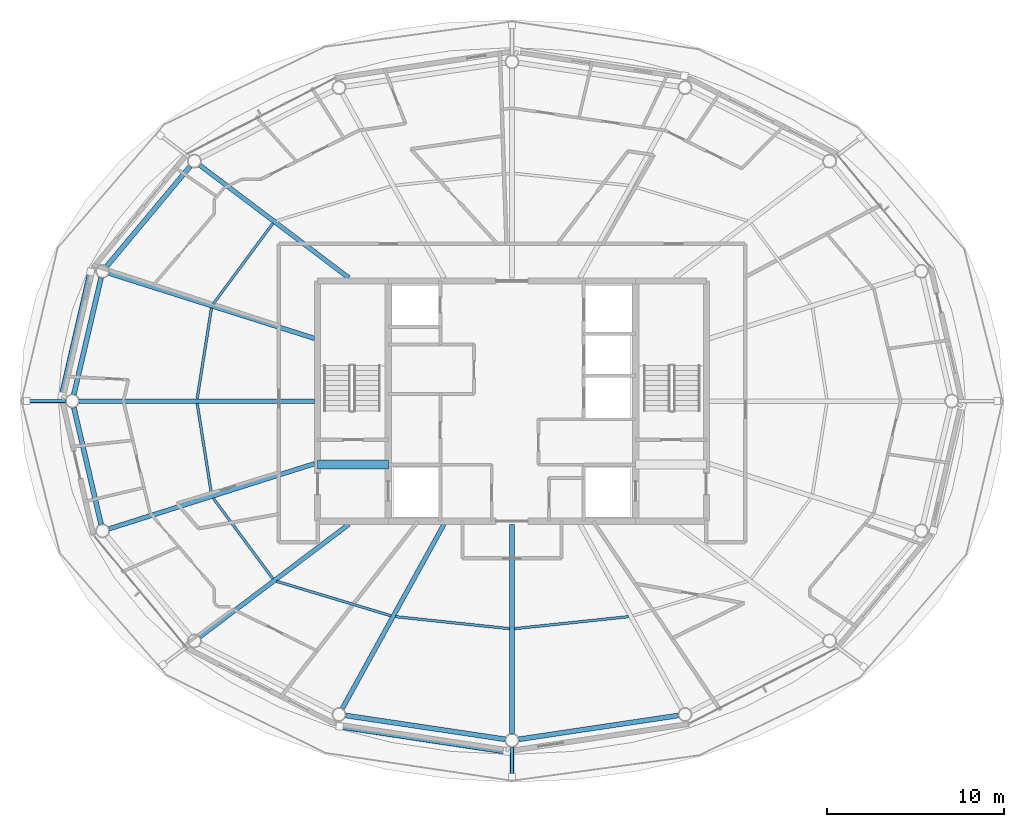
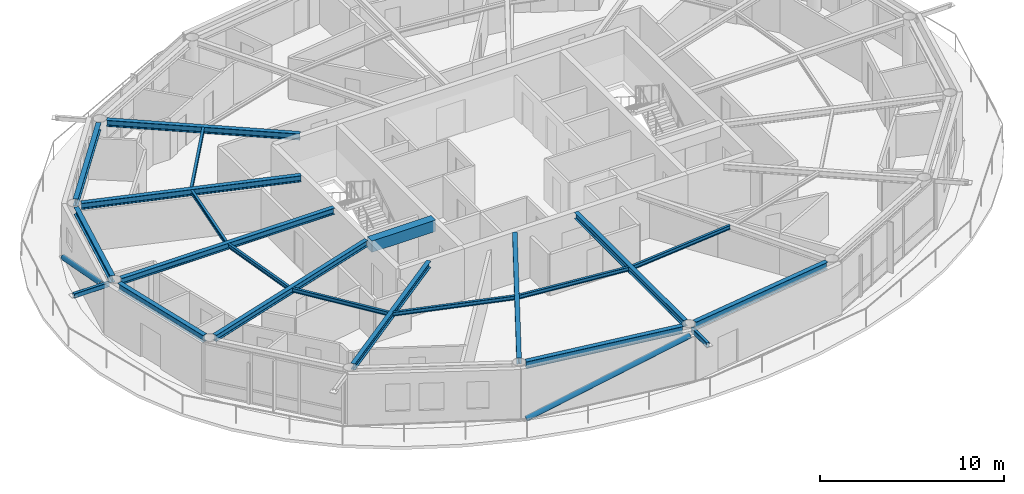
# One storey, part 4 of 22: 20 beams, 4 members.
"""IFC4 building model written with IfcOpenShell, lengths in metres."""

from ifc_helpers import new_model, si_unit, direction, frame, origin, origin_2d, place, context, subcontext, project, spatial, rectangle, hollow_rectangle, hollow_circle, i_section, extrude, material, material_profile, profile_set, type_object, element, save


model = new_model("IFC4")

# Units and contexts
model_context = context("Model", 3, precision=1e-05, world=origin(), true_north=direction((0.0, 1.0)))
body_context = subcontext(model_context, "Body", "Model", "MODEL_VIEW")
ifc_project = project(units=[si_unit("LENGTHUNIT", "METRE"), si_unit("AREAUNIT", "SQUARE_METRE"), si_unit("VOLUMEUNIT", "CUBIC_METRE"), si_unit("PLANEANGLEUNIT", "RADIAN"), si_unit("MASSUNIT", "GRAM", prefix="KILO")], contexts=[model_context])

# Site, building, storey
site_placement = place(None, origin())
site = spatial("IfcSite", under=ifc_project, at=site_placement, CompositionType="ELEMENT")
building_placement = place(site_placement, origin())
building = spatial("IfcBuilding", under=site, at=building_placement, Name="Sarneth Arch Tower", CompositionType="ELEMENT")
storey_placement = place(building_placement, frame((0.0, 0.0, 287.39990234375)))
storey = spatial("IfcBuildingStorey", under=building, at=storey_placement, Name="L74", CompositionType="ELEMENT", Elevation=287.39990234375)

# Beams
ifc_material_1 = material(Name="Steel S355", Category="steel")
ifc_material_profile_1 = material_profile(ifc_material_1, i_section(OverallWidth=0.14794921875, OverallDepth=0.26611328125, WebThickness=0.007568359375, FlangeThickness=0.012939453125, FilletRadius=0.012939453125, at=origin_2d()), Name="W250x44.8")
ifc_profile_set_1 = profile_set([ifc_material_profile_1], Name="Steel S355")
beam_type_1 = type_object("IfcBeamType", Name="BM-JOIST-250", PredefinedType="JOIST", material=ifc_profile_set_1)
beam_1_placement = place(storey_placement, frame((34.469482421875, 52.056396484375, 3.237060546875), z_axis=(-0.595431044136, -0.803406417499, 0.0), x_axis=(0.803406417499, -0.595431044136, 0.0)))
element("IfcBeam", 1, at=beam_1_placement, inside=storey, type_object=beam_type_1, Name="L74 Secondary floor joist 07", PredefinedType="JOIST", context=body_context, shape_type="SweptSolid", body=[
    extrude(i_section(OverallWidth=0.14794921875, OverallDepth=0.26611328125, WebThickness=0.007568359375, FlangeThickness=0.012939453125, FilletRadius=0.012939453125, at=origin_2d()), origin(), (0.0, 0.0, 1.0), 5.680419921875),
])
for number, where, z_axis, x_axis, name in (
    (2, (30.989501953125, 47.259765625, 3.237060546875), (-0.155520890899, -0.987832603478, 0.0), (0.987832603478, -0.155520890899, 0.0), "L74 Secondary floor joist 08"),
    (3, (30.181640625, 41.87158203125, 3.237060546875), (0.155520890899, -0.987832603478, 0.0), (0.987832603478, 0.155520890899, 0.0), "L74 Secondary floor joist 09"),
):
    element("IfcBeam", number, at=place(storey_placement, frame(where, z_axis=z_axis, x_axis=x_axis)), inside=storey, type_object=beam_type_1, Name=name, PredefinedType="JOIST", context=body_context, shape_type="SweptSolid", body=[
        extrude(i_section(OverallWidth=0.14794921875, OverallDepth=0.26611328125, WebThickness=0.007568359375, FlangeThickness=0.012939453125, FilletRadius=0.012939453125, at=origin_2d()), origin(), (0.0, 0.0, 1.0), 5.194580078125),
    ])
beam_2_placement = place(storey_placement, frame((31.087158203125, 36.50732421875, 3.237060546875), z_axis=(0.595431044136, -0.803406417499, 0.0), x_axis=(0.803406417499, 0.595431044136, 0.0)))
element("IfcBeam", 4, at=beam_2_placement, inside=storey, type_object=beam_type_1, Name="L74 Secondary floor joist 10", PredefinedType="JOIST", context=body_context, shape_type="SweptSolid", body=[
    extrude(i_section(OverallWidth=0.14794921875, OverallDepth=0.26611328125, WebThickness=0.007568359375, FlangeThickness=0.012939453125, FilletRadius=0.012939453125, at=origin_2d()), origin(), (0.0, 0.0, 1.0), 5.680419921875),
])
beam_3_placement = place(storey_placement, frame((34.67138671875, 31.801513671875, 3.237060546875), z_axis=(0.957373106971, -0.288854174367, 0.0), x_axis=(0.288854174367, 0.957373106971, 0.0)))
element("IfcBeam", 5, at=beam_3_placement, inside=storey, type_object=beam_type_1, Name="L74 Secondary floor joist 11", PredefinedType="JOIST", context=body_context, shape_type="SweptSolid", body=[
    extrude(i_section(OverallWidth=0.14794921875, OverallDepth=0.26611328125, WebThickness=0.007568359375, FlangeThickness=0.012939453125, FilletRadius=0.012939453125, at=origin_2d()), origin(), (0.0, 0.0, 1.0), 6.76416015625),
])
for number, where, z_axis, x_axis, name in (
    (6, (41.40087890625, 29.79638671875, 3.237060546875), (0.994526818736, -0.104481609938, 0.0), (0.104481609938, 0.994526818736, 0.0), "L74 Secondary floor joist 12"),
    (7, (48.12939453125, 29.11669921875, 3.237060546875), (0.994526818736, 0.104481609938, 0.0), (-0.104481609938, 0.994526818736, 0.0), "L74 Secondary floor joist 13"),
):
    element("IfcBeam", number, at=place(storey_placement, frame(where, z_axis=z_axis, x_axis=x_axis)), inside=storey, type_object=beam_type_1, Name=name, PredefinedType="JOIST", context=body_context, shape_type="SweptSolid", body=[
        extrude(i_section(OverallWidth=0.14794921875, OverallDepth=0.26611328125, WebThickness=0.007568359375, FlangeThickness=0.012939453125, FilletRadius=0.012939453125, at=origin_2d()), origin(), (0.0, 0.0, 1.0), 6.50537109375),
    ])
ifc_material_2 = material(Name="Concrete C50/60", Category="concrete")
ifc_material_profile_2 = material_profile(ifc_material_2, rectangle(XDim=0.5, YDim=0.75, at=origin_2d()), Name="RC-500x750")
ifc_profile_set_2 = profile_set([ifc_material_profile_2], Name="Concrete C50/60")
beam_type_2 = type_object("IfcBeamType", Name="BM-LINTEL-RC", PredefinedType="LINTEL", material=ifc_profile_set_2)
beam_4_placement = place(storey_placement, frame((37.0, 38.39990234375, 2.9951171875), z_axis=(1.0, 0.0, 0.0), x_axis=(0.0, 1.0, 0.0)))
element("IfcBeam", 8, at=beam_4_placement, inside=storey, type_object=beam_type_2, Name="L74 Core coupling lintel W", PredefinedType="LINTEL", context=body_context, shape_type="SweptSolid", body=[
    extrude(rectangle(XDim=0.5, YDim=0.75, at=origin_2d()), origin(), (0.0, 0.0, 1.0), 4.0),
])
ifc_material_3 = material(Name="Steel S355", Category="steel")
ifc_material_profile_3 = material_profile(ifc_material_3, i_section(OverallWidth=0.260009765625, OverallDepth=0.4150390625, WebThickness=0.010009765625, FlangeThickness=0.016845703125, FilletRadius=0.01611328125, at=origin_2d()), Name="W410x100")
ifc_profile_set_3 = profile_set([ifc_material_profile_3], Name="Steel S355")
beam_type_3 = type_object("IfcBeamType", Name="BM-RAD-410A", PredefinedType="BEAM", material=ifc_profile_set_3)
beam_5_placement = place(storey_placement, frame((38.76513671875, 48.97509765625, 3.16259765625), z_axis=(-0.797969745164, 0.602697507713, 0.0), x_axis=(-0.602697507713, -0.797969745164, 0.0)))
element("IfcBeam", 9, at=beam_5_placement, inside=storey, type_object=beam_type_3, Name="L74 Radial floor girder 07", PredefinedType="BEAM", context=body_context, shape_type="SweptSolid", body=[
    extrude(i_section(OverallWidth=0.260009765625, OverallDepth=0.4150390625, WebThickness=0.010009765625, FlangeThickness=0.016845703125, FilletRadius=0.01611328125, at=origin_2d()), origin(), (0.0, 0.0, 1.0), 10.572265625),
])
beam_6_placement = place(storey_placement, frame((36.824951171875, 45.5439453125, 3.16259765625), z_axis=(-0.953213623044, 0.302297517096, 0.0), x_axis=(-0.302297517096, -0.953213623044, 0.0)))
element("IfcBeam", 10, at=beam_6_placement, inside=storey, type_object=beam_type_3, Name="L74 Radial floor girder 08", PredefinedType="BEAM", context=body_context, shape_type="SweptSolid", body=[
    extrude(i_section(OverallWidth=0.260009765625, OverallDepth=0.4150390625, WebThickness=0.010009765625, FlangeThickness=0.016845703125, FilletRadius=0.01611328125, at=origin_2d()), origin(), (0.0, 0.0, 1.0), 12.201416015625),
])
beam_7_placement = place(storey_placement, frame((36.824951171875, 42.0, 3.16259765625), z_axis=(-1.0, 0.0, 0.0), x_axis=(0.0, -1.0, 0.0)))
element("IfcBeam", 11, at=beam_7_placement, inside=storey, type_object=beam_type_3, Name="L74 Radial floor girder 09", PredefinedType="BEAM", context=body_context, shape_type="SweptSolid", body=[
    extrude(i_section(OverallWidth=0.260009765625, OverallDepth=0.4150390625, WebThickness=0.010009765625, FlangeThickness=0.016845703125, FilletRadius=0.01611328125, at=origin_2d()), origin(), (0.0, 0.0, 1.0), 13.3271484375),
])
beam_8_placement = place(storey_placement, frame((36.824951171875, 38.4560546875, 3.16259765625), z_axis=(-0.953213623044, -0.302297517096, 0.0), x_axis=(0.302297517096, -0.953213623044, 0.0)))
element("IfcBeam", 12, at=beam_8_placement, inside=storey, type_object=beam_type_3, Name="L74 Radial floor girder 10", PredefinedType="BEAM", context=body_context, shape_type="SweptSolid", body=[
    extrude(i_section(OverallWidth=0.260009765625, OverallDepth=0.4150390625, WebThickness=0.010009765625, FlangeThickness=0.016845703125, FilletRadius=0.01611328125, at=origin_2d()), origin(), (0.0, 0.0, 1.0), 12.201416015625),
])
beam_9_placement = place(storey_placement, frame((38.76513671875, 35.02490234375, 3.16259765625), z_axis=(-0.797969745164, -0.602697507713, 0.0), x_axis=(0.602697507713, -0.797969745164, 0.0)))
element("IfcBeam", 13, at=beam_9_placement, inside=storey, type_object=beam_type_3, Name="L74 Radial floor girder 11", PredefinedType="BEAM", context=body_context, shape_type="SweptSolid", body=[
    extrude(i_section(OverallWidth=0.260009765625, OverallDepth=0.4150390625, WebThickness=0.010009765625, FlangeThickness=0.016845703125, FilletRadius=0.01611328125, at=origin_2d()), origin(), (0.0, 0.0, 1.0), 10.572265625),
])
beam_10_placement = place(storey_placement, frame((44.150146484375, 35.02490234375, 3.16259765625), z_axis=(-0.483231193732, -0.875492783182, 0.0), x_axis=(0.875492783182, -0.483231193732, 0.0)))
element("IfcBeam", 14, at=beam_10_placement, inside=storey, type_object=beam_type_3, Name="L74 Radial floor girder 12", PredefinedType="BEAM", context=body_context, shape_type="SweptSolid", body=[
    extrude(i_section(OverallWidth=0.260009765625, OverallDepth=0.4150390625, WebThickness=0.010009765625, FlangeThickness=0.016845703125, FilletRadius=0.01611328125, at=origin_2d()), origin(), (0.0, 0.0, 1.0), 11.913330078125),
])
beam_11_placement = place(storey_placement, frame((48.0, 35.02490234375, 3.16259765625), z_axis=(0.0, -1.0, 0.0), x_axis=(1.0, 0.0, 0.0)))
element("IfcBeam", 15, at=beam_11_placement, inside=storey, type_object=beam_type_3, Name="L74 Radial floor girder 13", PredefinedType="BEAM", context=body_context, shape_type="SweptSolid", body=[
    extrude(i_section(OverallWidth=0.260009765625, OverallDepth=0.4150390625, WebThickness=0.010009765625, FlangeThickness=0.016845703125, FilletRadius=0.01611328125, at=origin_2d()), origin(), (0.0, 0.0, 1.0), 11.843994140625),
])
ifc_material_4 = material(Name="Steel S355", Category="steel")
ifc_material_profile_4 = material_profile(ifc_material_4, i_section(OverallWidth=0.280029296875, OverallDepth=0.462890625, WebThickness=0.0107421875, FlangeThickness=0.017333984375, FilletRadius=0.01806640625, at=origin_2d()), Name="W460x113")
ifc_profile_set_4 = profile_set([ifc_material_profile_4], Name="Steel S355")
beam_type_4 = type_object("IfcBeamType", Name="BM-RAD-460A", PredefinedType="BEAM", material=ifc_profile_set_4)
beam_12_placement = place(storey_placement, frame((29.78076171875, 55.283935546875, 3.138671875), z_axis=(-0.640377192996, -0.768060577487, 0.0), x_axis=(0.768060577487, -0.640377192996, 0.0)))
element("IfcBeam", 16, at=beam_12_placement, inside=storey, type_object=beam_type_4, Name="L74 Perimeter spandrel beam 07", PredefinedType="BEAM", context=body_context, shape_type="SweptSolid", body=[
    extrude(i_section(OverallWidth=0.280029296875, OverallDepth=0.462890625, WebThickness=0.0107421875, FlangeThickness=0.017333984375, FilletRadius=0.01806640625, at=origin_2d()), origin(), (0.0, 0.0, 1.0), 7.34814453125),
])
for number, where, z_axis, x_axis, name in (
    (17, (24.74462890625, 48.9765625, 3.138671875), (-0.227227339933, -0.973841740729, 0.0), (0.973841740729, -0.227227339933, 0.0), "L74 Perimeter spandrel beam 08"),
    (18, (23.203369140625, 41.62890625, 3.138671875), (0.227227339933, -0.973841740729, 0.0), (0.973841740729, 0.227227339933, 0.0), "L74 Perimeter spandrel beam 09"),
):
    element("IfcBeam", number, at=place(storey_placement, frame(where, z_axis=z_axis, x_axis=x_axis)), inside=storey, type_object=beam_type_4, Name=name, PredefinedType="BEAM", context=body_context, shape_type="SweptSolid", body=[
        extrude(i_section(OverallWidth=0.280029296875, OverallDepth=0.462890625, WebThickness=0.0107421875, FlangeThickness=0.017333984375, FilletRadius=0.01806640625, at=origin_2d()), origin(), (0.0, 0.0, 1.0), 6.782958984375),
    ])
for number, where, z_axis, x_axis, name in (
    (19, (38.5859375, 24.205322265625, 3.138671875), (0.989040174637, -0.147646648973, 0.0), (0.147646648973, 0.989040174637, 0.0), "L74 Perimeter spandrel beam 12"),
    (20, (48.376708984375, 22.856201171875, 3.138671875), (0.989040174637, 0.147646648973, 0.0), (-0.147646648973, 0.989040174637, 0.0), "L74 Perimeter spandrel beam 13"),
):
    element("IfcBeam", number, at=place(storey_placement, frame(where, z_axis=z_axis, x_axis=x_axis)), inside=storey, type_object=beam_type_4, Name=name, PredefinedType="BEAM", context=body_context, shape_type="SweptSolid", body=[
        extrude(i_section(OverallWidth=0.280029296875, OverallDepth=0.462890625, WebThickness=0.0107421875, FlangeThickness=0.017333984375, FilletRadius=0.01806640625, at=origin_2d()), origin(), (0.0, 0.0, 1.0), 9.137451171875),
    ])

# Members
ifc_material_5 = material(Name="Steel S355", Category="steel")
ifc_material_profile_5 = material_profile(ifc_material_5, hollow_rectangle(XDim=0.199951171875, YDim=0.300048828125, WallThickness=0.012451171875, InnerFilletRadius=0.018798828125, OuterFilletRadius=0.03125, at=origin_2d()), Name="RHS300x200x12.5")
ifc_profile_set_5 = profile_set([ifc_material_profile_5], Name="Steel S355")
member_type_1 = type_object("IfcMemberType", Name="MEM-CANT-STRUT", PredefinedType="STRUT", material=ifc_profile_set_5)
member_1_placement = place(storey_placement, frame((22.73583984375, 42.0, 3.210205078125), z_axis=(-1.0, 0.0, 0.0), x_axis=(0.0, -1.0, 0.0)))
element("IfcMember", 21, at=member_1_placement, inside=storey, type_object=member_type_1, Name="L74 Balcony cantilever bracket 09", PredefinedType="STRUT", context=body_context, shape_type="SweptSolid", body=[
    extrude(hollow_rectangle(XDim=0.199951171875, YDim=0.300048828125, WallThickness=0.012451171875, InnerFilletRadius=0.018798828125, OuterFilletRadius=0.03125, at=origin_2d()), origin(), (0.0, 0.0, 1.0), 2.202392578125),
])
member_2_placement = place(storey_placement, frame((48.0, 22.4189453125, 3.210205078125), z_axis=(0.0, -1.0, 0.0), x_axis=(1.0, 0.0, 0.0)))
element("IfcMember", 22, at=member_2_placement, inside=storey, type_object=member_type_1, Name="L74 Balcony cantilever bracket 13", PredefinedType="STRUT", context=body_context, shape_type="SweptSolid", body=[
    extrude(hollow_rectangle(XDim=0.199951171875, YDim=0.300048828125, WallThickness=0.012451171875, InnerFilletRadius=0.018798828125, OuterFilletRadius=0.03125, at=origin_2d()), origin(), (0.0, 0.0, 1.0), 1.685546875),
])
ifc_material_6 = material(Name="Steel S355", Category="steel")
ifc_material_profile_6 = material_profile(ifc_material_6, hollow_circle(Radius=0.162109375, WallThickness=0.012451171875, at=origin_2d()), Name="CHS324x12.5")
ifc_profile_set_6 = profile_set([ifc_material_profile_6], Name="Steel S355")
member_type_2 = type_object("IfcMemberType", Name="MEM-DIAG-BR3", PredefinedType="BRACE", material=ifc_profile_set_6)
member_3_placement = place(storey_placement, frame((24.148193359375, 49.3154296875, 0.02001953125), z_axis=(-0.207343373373, -0.896265487877, 0.392067469651), x_axis=(0.974268900284, -0.225388797281, 0.0)))
element("IfcMember", 23, at=member_3_placement, inside=storey, type_object=member_type_2, Name="L74 Perimeter frame diagonal 08", PredefinedType="BRACE", context=body_context, shape_type="SweptSolid", body=[
    extrude(hollow_circle(Radius=0.162109375, WallThickness=0.012451171875, at=origin_2d()), origin(), (0.0, 0.0, 1.0), 7.836181640625),
])
member_4_placement = place(storey_placement, frame((38.245849609375, 23.588623046875, 0.02001953125), z_axis=(0.941471055877, -0.141762627625, 0.305835917372), x_axis=(0.148897148305, 0.988852688335, 0.0)))
element("IfcMember", 24, at=member_4_placement, inside=storey, type_object=member_type_2, Name="L74 Perimeter frame diagonal 12", PredefinedType="BRACE", context=body_context, shape_type="SweptSolid", body=[
    extrude(hollow_circle(Radius=0.162109375, WallThickness=0.012451171875, at=origin_2d()), origin(), (0.0, 0.0, 1.0), 10.04541015625),
])

save(model, "model.ifc")
